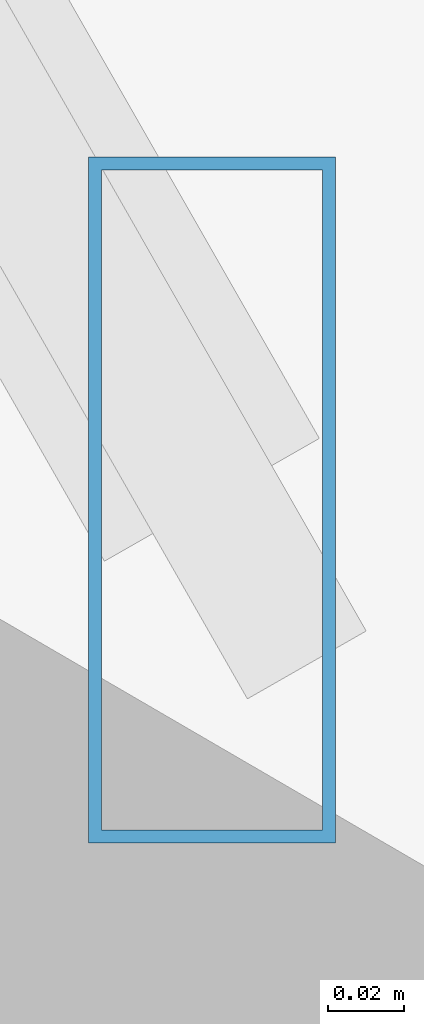
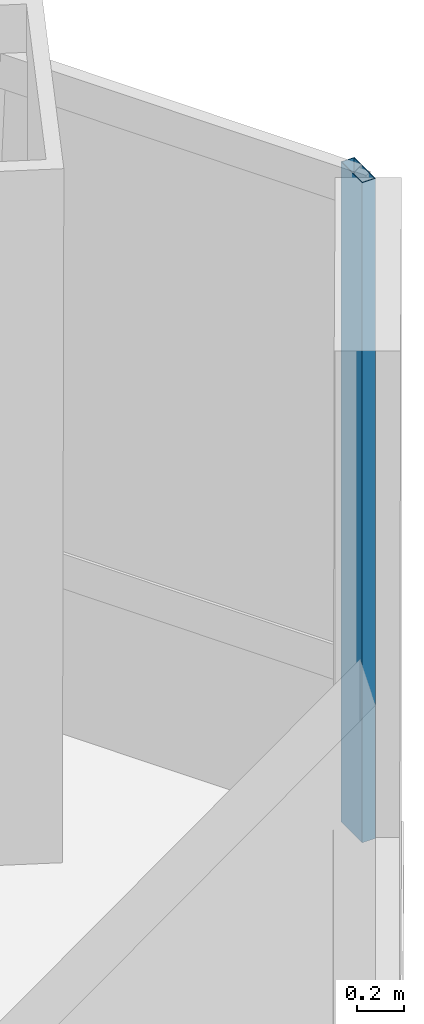
# One storey, part 20 of 36: 1 member, 1 element without a shape of its own.
"""IFC4 building model written with IfcOpenShell, lengths in metres."""

from ifc_helpers import new_model, si_unit, direction, frame, origin, origin_2d, place, context, subcontext, project, spatial, hollow_rectangle, extrude, source, transform, mapped, material, material_profile, profile_set, type_object, type_shapes, element, aggregate, save


model = new_model("IFC4")

# Units and contexts
model_context = context("Model", 3, precision=1e-05, world=origin(), true_north=direction((0.0, 1.0)))
body_context = subcontext(model_context, "Body", "Model", "MODEL_VIEW")
ifc_project = project(units=[si_unit("LENGTHUNIT", "METRE"), si_unit("AREAUNIT", "SQUARE_METRE"), si_unit("VOLUMEUNIT", "CUBIC_METRE"), si_unit("PLANEANGLEUNIT", "RADIAN"), si_unit("MASSUNIT", "GRAM", prefix="KILO")], contexts=[model_context])

# Site, building, storey
site_placement = place(None, origin())
site = spatial("IfcSite", under=ifc_project, at=site_placement, CompositionType="ELEMENT")
building_placement = place(site_placement, origin())
building = spatial("IfcBuilding", under=site, at=building_placement, Name="Caelisora Broadcast Tower", CompositionType="ELEMENT")
storey_placement = place(building_placement, frame((0.0, 0.0, 60.449951171875)))
storey = spatial("IfcBuildingStorey", under=building, at=storey_placement, Name="L15", CompositionType="ELEMENT", Elevation=60.449951171875)

# Curtain wall, member
ifc_material_1 = material(Name="Unitised Aluminium and Low-E Glass Curtain Wall", Category="glass")
curtain_wall_type = type_object("IfcCurtainWallType", Name="CW-Z1", PredefinedType="NOTDEFINED", material=ifc_material_1)
curtain_wall_placement = place(storey_placement, origin())
curtain_wall = element("IfcCurtainWall", 1, at=curtain_wall_placement, inside=storey, type_object=curtain_wall_type, Name="L15 curtain wall CW-Z1", PredefinedType="NOTDEFINED")
ifc_material_2 = material(Name="Aluminium 6063-T6 Anodised Terracotta Bronze", Category="aluminium")
ifc_material_profile = material_profile(ifc_material_2, hollow_rectangle(XDim=0.06494140625, YDim=0.179931640625, WallThickness=0.00341796875, at=origin_2d()), Name="Aluminium 6063-T6 Anodised Terracotta Bronze")
ifc_profile_set = profile_set([ifc_material_profile], Name="Aluminium 6063-T6 Anodised Terracotta Bronze")
member_type = type_object("IfcMemberType", Name="CWM-02", PredefinedType="MULLION", material=ifc_profile_set)
shared_shape = source(origin(), body_context, "Body", "SweptSolid", [
    extrude(hollow_rectangle(XDim=0.06494140625, YDim=0.179931640625, WallThickness=0.00341796875, at=origin_2d()), origin(), (0.0, 0.0, 1.0), 3.400146484375),
])
type_shapes(member_type, [shared_shape])
member_placement = place(storey_placement, frame((63.09423828125, 18.968505859375, 0.0), z_axis=(0.0, 0.0, 1.0), x_axis=(1.0, 0.0, 0.0)))
member = element("IfcMember", 2, at=member_placement, type_object=member_type, Name="L15-CW-B03 mullion #3", PredefinedType="MULLION", context=body_context, shape_type="MappedRepresentation", body=[
    mapped(shared_shape, transform((0.0, 0.0, 0.0), scale=1.0)),
])
aggregate(curtain_wall, [member])

save(model, "model.ifc")
